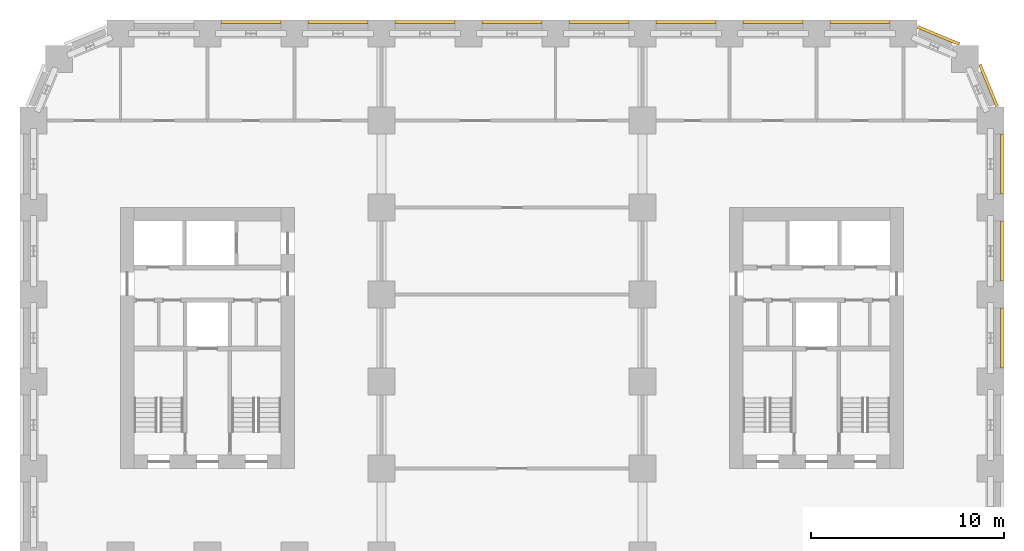
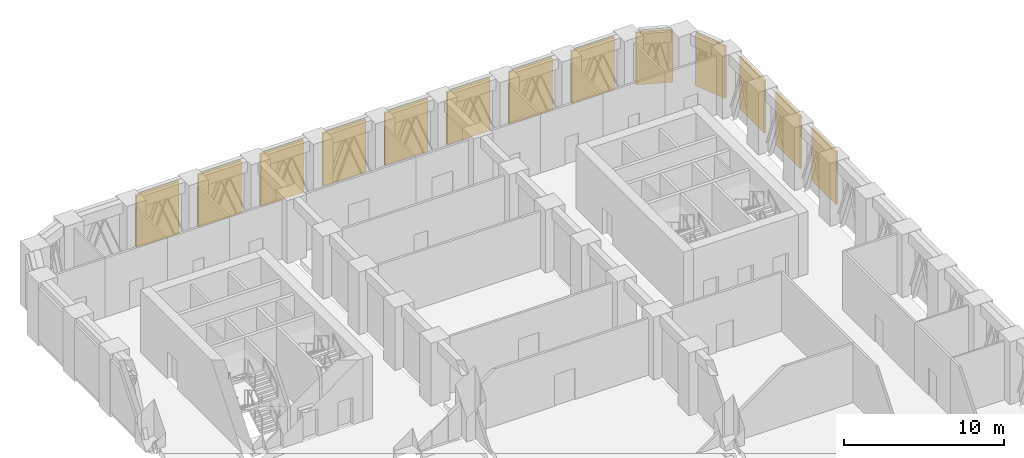
# One storey, part 9 of 9: 13 shading devices.
"""IFC4 building model written with IfcOpenShell, lengths in metres."""

from ifc_helpers import new_model, si_unit, direction, frame, origin, origin_2d, place, context, subcontext, project, spatial, rectangle, extrude, material, type_object, element, save


model = new_model("IFC4")

# Units and contexts
model_context = context("Model", 3, precision=1e-05, world=origin(), true_north=direction((0.0, 1.0)))
body_context = subcontext(model_context, "Body", "Model", "MODEL_VIEW")
ifc_project = project(units=[si_unit("LENGTHUNIT", "METRE"), si_unit("AREAUNIT", "SQUARE_METRE"), si_unit("VOLUMEUNIT", "CUBIC_METRE"), si_unit("PLANEANGLEUNIT", "RADIAN"), si_unit("MASSUNIT", "GRAM", prefix="KILO")], contexts=[model_context])

# Site, building, storey
site_placement = place(None, origin())
site = spatial("IfcSite", under=ifc_project, at=site_placement, CompositionType="ELEMENT")
building_placement = place(site_placement, origin())
building = spatial("IfcBuilding", under=site, at=building_placement, Name="Girih Gate Residences", CompositionType="ELEMENT")
storey_placement = place(building_placement, frame((0.0, 0.0, 75.199951171875)))
storey = spatial("IfcBuildingStorey", under=building, at=storey_placement, Name="L20", CompositionType="ELEMENT", Elevation=75.199951171875)

# Shading devices
ifc_material = material(Name="Aluminium louvre", Category="aluminium")
shading_device_type = type_object("IfcShadingDeviceType", Name="Plant louvre band", PredefinedType="USERDEFINED", material=ifc_material)
for number, where, z_axis, x_axis, name in (
    (1, (50.10009765625, 33.75, 0.400146484375), (0.0, 0.0, 1.0), (0.0, 1.0, 0.0), "Plant louvre E0495_0045.6"),
    (2, (50.10009765625, 38.25, 0.400146484375), (0.0, 0.0, 1.0), (0.0, 1.0, 0.0), "Plant louvre E0495_0045.7"),
    (3, (50.10009765625, 42.75, 0.400146484375), (0.0, 0.0, 1.0), (0.0, 1.0, 0.0), "Plant louvre E0495_0045.8"),
):
    element("IfcShadingDevice", number, at=place(storey_placement, frame(where, z_axis=z_axis, x_axis=x_axis)), inside=storey, type_object=shading_device_type, Name=name, ObjectType="LOUVRE", PredefinedType="USERDEFINED", context=body_context, shape_type="SweptSolid", body=[
        extrude(rectangle(XDim=3.10009765625, YDim=0.14990234375, at=origin_2d()), origin(), (0.0, 0.0, 1.0), 4.0),
    ])
for number, where, z_axis, x_axis, name in (
    (4, (49.3994140625, 46.810546875, 0.400146484375), (0.0, 0.0, 1.0), (-0.382683432365, 0.923879532511, 0.0), "Plant louvre NE0495_0450.0"),
    (5, (46.810791015625, 49.3994140625, 0.400146484375), (0.0, 0.0, 1.0), (-0.923879532511, 0.382683432365, 0.0), "Plant louvre NE0482_0482.0"),
):
    element("IfcShadingDevice", number, at=place(storey_placement, frame(where, z_axis=z_axis, x_axis=x_axis)), inside=storey, type_object=shading_device_type, Name=name, ObjectType="LOUVRE", PredefinedType="USERDEFINED", context=body_context, shape_type="SweptSolid", body=[
        extrude(rectangle(XDim=2.34228515625, YDim=0.14990234375, at=origin_2d()), origin(), (0.0, 0.0, 1.0), 4.0),
    ])
for number, where, z_axis, x_axis, name in (
    (6, (42.75, 50.10009765625, 0.400146484375), (0.0, 0.0, 1.0), (-1.0, 0.0, 0.0), "Plant louvre N0450_0495.0"),
    (7, (38.25, 50.10009765625, 0.400146484375), (0.0, 0.0, 1.0), (-1.0, 0.0, 0.0), "Plant louvre N0450_0495.1"),
    (8, (33.75, 50.10009765625, 0.400146484375), (0.0, 0.0, 1.0), (-1.0, 0.0, 0.0), "Plant louvre N0450_0495.2"),
    (9, (29.25, 50.10009765625, 0.400146484375), (0.0, 0.0, 1.0), (-1.0, 0.0, 0.0), "Plant louvre N0450_0495.3"),
    (10, (24.75, 50.10009765625, 0.400146484375), (0.0, 0.0, 1.0), (-1.0, 0.0, 0.0), "Plant louvre N0450_0495.4"),
    (11, (20.25, 50.10009765625, 0.400146484375), (0.0, 0.0, 1.0), (-1.0, 0.0, 0.0), "Plant louvre N0450_0495.5"),
    (12, (15.75, 50.10009765625, 0.400146484375), (0.0, 0.0, 1.0), (-1.0, 0.0, 0.0), "Plant louvre N0450_0495.6"),
    (13, (11.25, 50.10009765625, 0.400146484375), (0.0, 0.0, 1.0), (-1.0, 0.0, 0.0), "Plant louvre N0450_0495.7"),
):
    element("IfcShadingDevice", number, at=place(storey_placement, frame(where, z_axis=z_axis, x_axis=x_axis)), inside=storey, type_object=shading_device_type, Name=name, ObjectType="LOUVRE", PredefinedType="USERDEFINED", context=body_context, shape_type="SweptSolid", body=[
        extrude(rectangle(XDim=3.10009765625, YDim=0.14990234375, at=origin_2d()), origin(), (0.0, 0.0, 1.0), 4.0),
    ])

save(model, "model.ifc")
